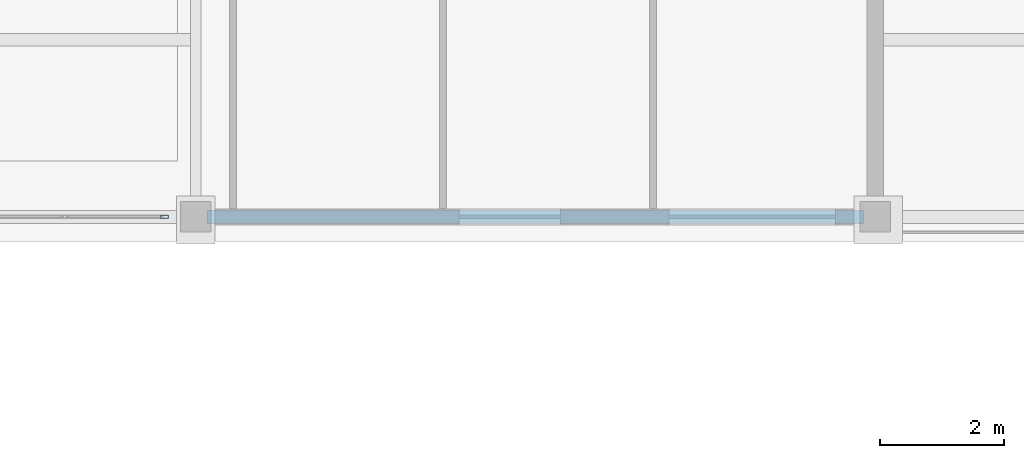
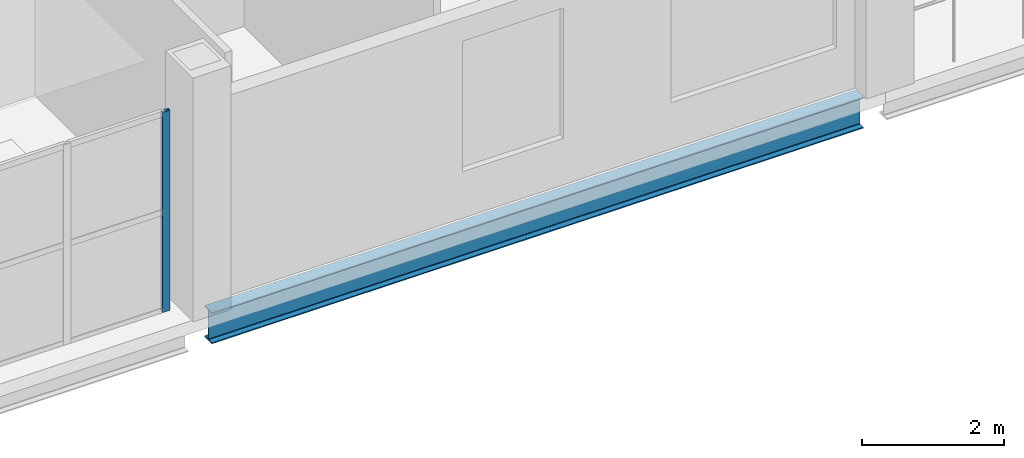
# One storey, part 15 of 26: 1 beam, 1 member, 1 element without a shape of its own.
"""IFC4 building model written with IfcOpenShell, lengths in metres."""

from ifc_helpers import new_model, si_unit, direction, frame, origin, origin_2d, place, context, subcontext, project, spatial, hollow_rectangle, i_section, extrude, material, material_profile, profile_set, type_object, element, aggregate, save


model = new_model("IFC4")

# Units and contexts
model_context = context("Model", 3, precision=1e-05, world=origin(), true_north=direction((0.0, 1.0)))
body_context = subcontext(model_context, "Body", "Model", "MODEL_VIEW")
ifc_project = project(units=[si_unit("LENGTHUNIT", "METRE"), si_unit("AREAUNIT", "SQUARE_METRE"), si_unit("VOLUMEUNIT", "CUBIC_METRE"), si_unit("PLANEANGLEUNIT", "RADIAN"), si_unit("MASSUNIT", "GRAM", prefix="KILO")], contexts=[model_context])

# Site, building, storey
site_placement = place(None, origin())
site = spatial("IfcSite", under=ifc_project, at=site_placement, CompositionType="ELEMENT")
building_placement = place(site_placement, origin())
building = spatial("IfcBuilding", under=site, at=building_placement, Name="Caurita Quay Ferry Terminal", CompositionType="ELEMENT")
storey_placement = place(building_placement, frame((0.0, 0.0, 18.300048828125)))
storey = spatial("IfcBuildingStorey", under=building, at=storey_placement, Name="L04", CompositionType="ELEMENT", Elevation=18.300048828125)

# Beam
ifc_material_1 = material(Name="Structural steel ASTM A992 Gr. 50", Category="steel")
ifc_material_profile_1 = material_profile(ifc_material_1, i_section(OverallWidth=0.210693359375, OverallDepth=0.53857421875, WebThickness=0.01171875, FlangeThickness=0.018798828125, FilletRadius=0.013916015625, at=origin_2d()), Name="W21X73")
ifc_profile_set_1 = profile_set([ifc_material_profile_1], Name="Structural steel ASTM A992 Gr. 50")
beam_type = type_object("IfcBeamType", Name="BM-GR-W21A", PredefinedType="BEAM", material=ifc_profile_set_1)
beam_placement = place(storey_placement, frame((33.191162109375, 71.60009765625, -0.4892578125), z_axis=(1.0, 0.0, 0.0), x_axis=(0.0, 1.0, 0.0)))
element("IfcBeam", 1, at=beam_placement, inside=storey, type_object=beam_type, Name="L04 Beam BM-V5-L04-X-332-716", PredefinedType="BEAM", context=body_context, shape_type="SweptSolid", body=[
    extrude(i_section(OverallWidth=0.210693359375, OverallDepth=0.53857421875, WebThickness=0.01171875, FlangeThickness=0.018798828125, FilletRadius=0.013916015625, at=origin_2d()), origin(), (0.0, 0.0, 1.0), 10.61767578125),
])

# Curtain wall, member
ifc_material_2 = material(Name="Laminated solar-control insulated glass", Category="glass")
curtain_wall_type = type_object("IfcCurtainWallType", Name="CW-SYS-22", PredefinedType="NOTDEFINED", material=ifc_material_2)
curtain_wall_placement = place(storey_placement, origin())
curtain_wall = element("IfcCurtainWall", 2, at=curtain_wall_placement, inside=storey, type_object=curtain_wall_type, Name="VTS Harbour South Watch Curtain Wall 155", PredefinedType="NOTDEFINED")
ifc_material_3 = material(Name="Anodized aluminium 6063-T6", Category="aluminium")
ifc_material_profile_2 = material_profile(ifc_material_3, hollow_rectangle(XDim=0.054931640625, YDim=0.125, WallThickness=0.00341796875, at=origin_2d()), Name="ALU-MUL-55X125")
ifc_profile_set_2 = profile_set([ifc_material_profile_2], Name="Anodized aluminium 6063-T6")
member_type = type_object("IfcMemberType", Name="CW-MUL-125", PredefinedType="MULLION", material=ifc_profile_set_2)
member_placement = place(storey_placement, frame((32.492431640625, 71.60009765625, 0.0), z_axis=(0.0, 0.0, 1.0), x_axis=(0.0, 1.0, 0.0)))
member = element("IfcMember", 3, at=member_placement, type_object=member_type, Name="CW-VTS-155 Mullion 4", PredefinedType="MULLION", context=body_context, shape_type="SweptSolid", body=[
    extrude(hollow_rectangle(XDim=0.054931640625, YDim=0.125, WallThickness=0.00341796875, at=origin_2d()), origin(), (0.0, 0.0, 1.0), 3.449951171875),
])
aggregate(curtain_wall, [member])

save(model, "model.ifc")
